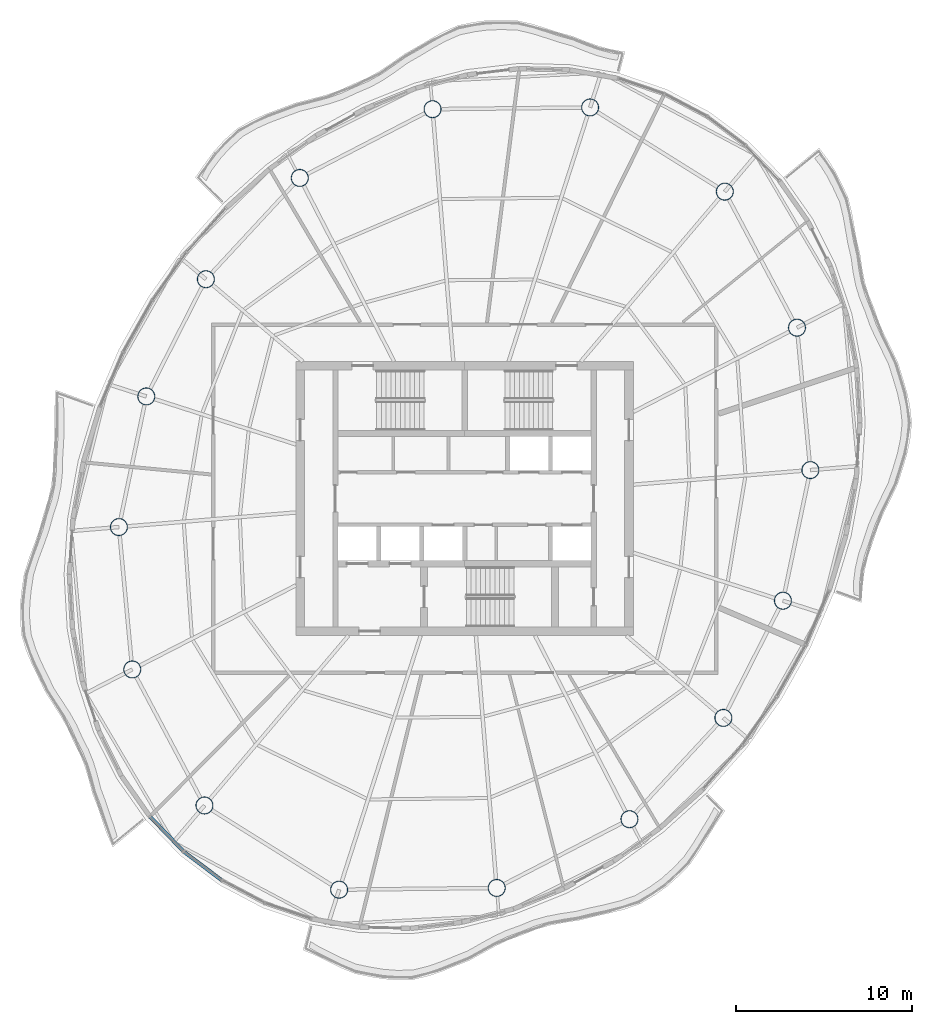
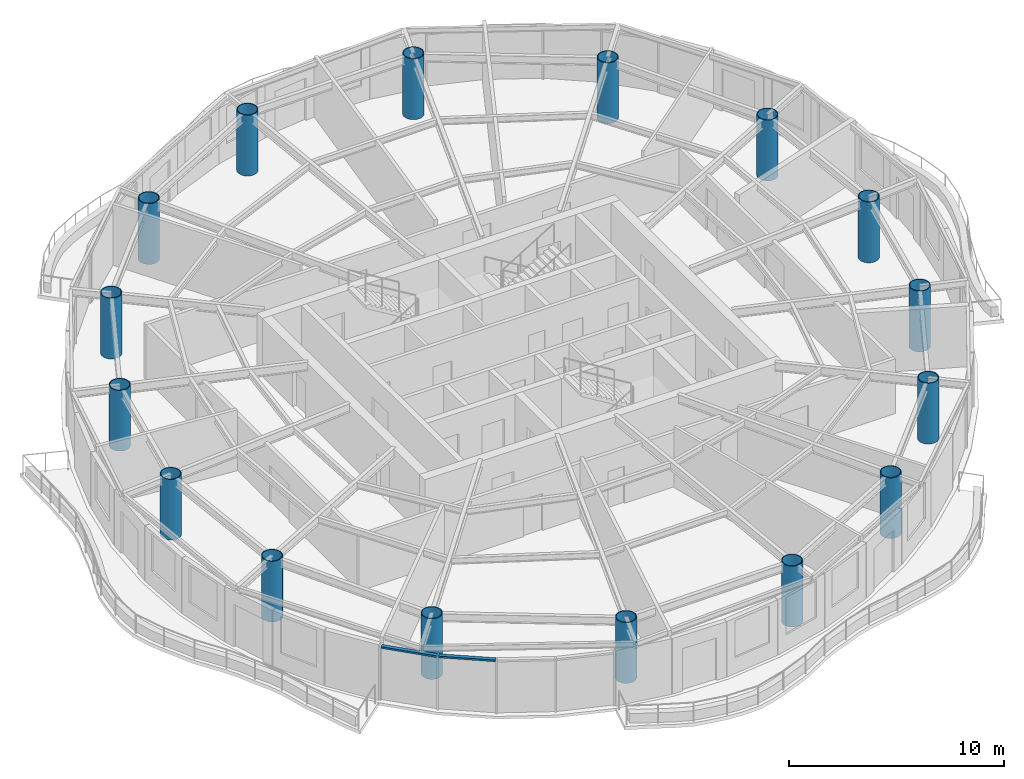
# One storey, part 1 of 14: 16 columns, 2 members, 2 elements without a shape of their own.
"""IFC4 building model written with IfcOpenShell, lengths in metres."""

from ifc_helpers import new_model, si_unit, direction, frame, origin, origin_2d, place, context, subcontext, project, spatial, rectangle, hollow_circle, extrude, material, material_profile, profile_set, type_object, element, aggregate, save


model = new_model("IFC4")

# Units and contexts
model_context = context("Model", 3, precision=1e-05, world=origin(), true_north=direction((0.0, 1.0)))
body_context = subcontext(model_context, "Body", "Model", "MODEL_VIEW")
ifc_project = project(units=[si_unit("LENGTHUNIT", "METRE"), si_unit("AREAUNIT", "SQUARE_METRE"), si_unit("VOLUMEUNIT", "CUBIC_METRE"), si_unit("PLANEANGLEUNIT", "RADIAN"), si_unit("MASSUNIT", "GRAM", prefix="KILO")], contexts=[model_context])

# Site, building, storey
site_placement = place(None, origin())
site = spatial("IfcSite", under=ifc_project, at=site_placement, CompositionType="ELEMENT")
building_placement = place(site_placement, origin())
building = spatial("IfcBuilding", under=site, at=building_placement, Name="Vermilion Reach Broadcast Tower", CompositionType="ELEMENT")
storey_placement = place(building_placement, frame((0.0, 0.0, 264.89990234375)))
storey = spatial("IfcBuildingStorey", under=building, at=storey_placement, Name="L65", CompositionType="ELEMENT", Elevation=264.89990234375)

# Columns
ifc_material_1 = material(Name="Concrete C60 infill in steel S460NL tube", Category="concrete")
ifc_material_profile_1 = material_profile(ifc_material_1, hollow_circle(Radius=0.5, WallThickness=0.0400390625, at=origin_2d()), Name="Concrete C60 infill in steel S460NL tube CFT 1000x40")
ifc_profile_set_1 = profile_set([ifc_material_profile_1], Name="Concrete C60 infill in steel S460NL tube")
column_type = type_object("IfcColumnType", Name="MC5 CFT 1000x40", PredefinedType="COLUMN", material=ifc_profile_set_1)
for number, where, z_axis, x_axis, name in (
    (1, (1.138427734375, 22.2470703125, 0.0), (0.0, 0.0, 1.0), (1.0, 0.0, 0.0), "Mega-column MC5-01"),
    (2, (-7.824951171875, 22.1494140625, 0.0), (0.0, 0.0, 1.0), (1.0, 0.0, 0.0), "Mega-column MC5-02"),
    (3, (-15.376953125, 18.23779296875, 0.0), (0.0, 0.0, 1.0), (1.0, 0.0, 0.0), "Mega-column MC5-03"),
    (4, (-20.717529296875, 12.476806640625, 0.0), (0.0, 0.0, 1.0), (1.0, 0.0, 0.0), "Mega-column MC5-04"),
    (5, (-24.10595703125, 5.809814453125, 0.0), (0.0, 0.0, 1.0), (1.0, 0.0, 0.0), "Mega-column MC5-05"),
    (6, (-25.665771484375, -1.620361328125, 0.0), (0.0, 0.0, 1.0), (1.0, 0.0, 0.0), "Mega-column MC5-06"),
    (7, (-24.905517578125, -9.72021484375, 0.0), (0.0, 0.0, 1.0), (1.0, 0.0, 0.0), "Mega-column MC5-07"),
    (8, (-20.799560546875, -17.457275390625, 0.0), (0.0, 0.0, 1.0), (1.0, 0.0, 0.0), "Mega-column MC5-08"),
    (9, (-13.138427734375, -22.2470703125, 0.0), (0.0, 0.0, 1.0), (1.0, 0.0, 0.0), "Mega-column MC5-09"),
    (10, (-4.175048828125, -22.1494140625, 0.0), (0.0, 0.0, 1.0), (1.0, 0.0, 0.0), "Mega-column MC5-10"),
    (11, (3.376953125, -18.23779296875, 0.0), (0.0, 0.0, 1.0), (1.0, 0.0, 0.0), "Mega-column MC5-11"),
    (12, (8.717529296875, -12.476806640625, 0.0), (0.0, 0.0, 1.0), (1.0, 0.0, 0.0), "Mega-column MC5-12"),
    (13, (12.10595703125, -5.809814453125, 0.0), (0.0, 0.0, 1.0), (1.0, 0.0, 0.0), "Mega-column MC5-13"),
    (14, (13.665771484375, 1.620361328125, 0.0), (0.0, 0.0, 1.0), (1.0, 0.0, 0.0), "Mega-column MC5-14"),
    (15, (12.905517578125, 9.72021484375, 0.0), (0.0, 0.0, 1.0), (1.0, 0.0, 0.0), "Mega-column MC5-15"),
    (16, (8.799560546875, 17.457275390625, 0.0), (0.0, 0.0, 1.0), (1.0, 0.0, 0.0), "Mega-column MC5-16"),
):
    element("IfcColumn", number, at=place(storey_placement, frame(where, z_axis=z_axis, x_axis=x_axis)), inside=storey, type_object=column_type, Name=name, PredefinedType="COLUMN", context=body_context, shape_type="SweptSolid", body=[
        extrude(hollow_circle(Radius=0.5, WallThickness=0.0400390625, at=origin_2d()), origin(), (0.0, 0.0, 1.0), 3.4501953125),
    ])

# Curtain wall, member
ifc_material_2 = material(Name="Low-e laminated clear glass in aluminium frame", Category="aluminium")
curtain_wall_type = type_object("IfcCurtainWallType", Name="Slot curtain wall", PredefinedType="NOTDEFINED", material=ifc_material_2)
placement = place(storey_placement, origin())
curtain_wall_1 = element("IfcCurtainWall", 17, at=placement, inside=storey, type_object=curtain_wall_type, Name="Slot curtain wall L65 22", PredefinedType="NOTDEFINED")
ifc_material_3 = material(Name="Anodised aluminium", Category="aluminium")
ifc_material_profile_2 = material_profile(ifc_material_3, rectangle(XDim=0.199951171875, YDim=0.10009765625, at=origin_2d()), Name="Slot transom 200 x 100")
ifc_profile_set_2 = profile_set([ifc_material_profile_2], Name="Anodised aluminium")
member_type = type_object("IfcMemberType", Name="Slot transom 200 x 100", PredefinedType="USERDEFINED", material=ifc_profile_set_2)
member_1_placement = place(storey_placement, frame((-23.87744140625, -18.112060546875, 3.0), z_axis=(0.69405325205, -0.719923664924, 0.0), x_axis=(0.719923664924, 0.69405325205, 0.0)))
member_1 = element("IfcMember", 18, at=member_1_placement, type_object=member_type, Name="Slot transom L65 22.1", ObjectType="TRANSOM", PredefinedType="USERDEFINED", context=body_context, shape_type="SweptSolid", body=[
    extrude(rectangle(XDim=0.199951171875, YDim=0.10009765625, at=origin_2d()), origin(), (0.0, 0.0, 1.0), 2.689453125),
])
aggregate(curtain_wall_1, [member_1])

curtain_wall_2 = element("IfcCurtainWall", 19, at=placement, inside=storey, type_object=curtain_wall_type, Name="Slot curtain wall L65 23", PredefinedType="NOTDEFINED")
member_2_placement = place(storey_placement, frame((-21.950927734375, -20.10107421875, 3.0), z_axis=(0.798910634815, -0.601449746512, 0.0), x_axis=(0.601449746512, 0.798910634815, 0.0)))
member_2 = element("IfcMember", 20, at=member_2_placement, type_object=member_type, Name="Slot transom L65 23.1", ObjectType="TRANSOM", PredefinedType="USERDEFINED", context=body_context, shape_type="SweptSolid", body=[
    extrude(rectangle(XDim=0.199951171875, YDim=0.10009765625, at=origin_2d()), origin(), (0.0, 0.0, 1.0), 2.665771484375),
])
aggregate(curtain_wall_2, [member_2])

save(model, "model.ifc")
